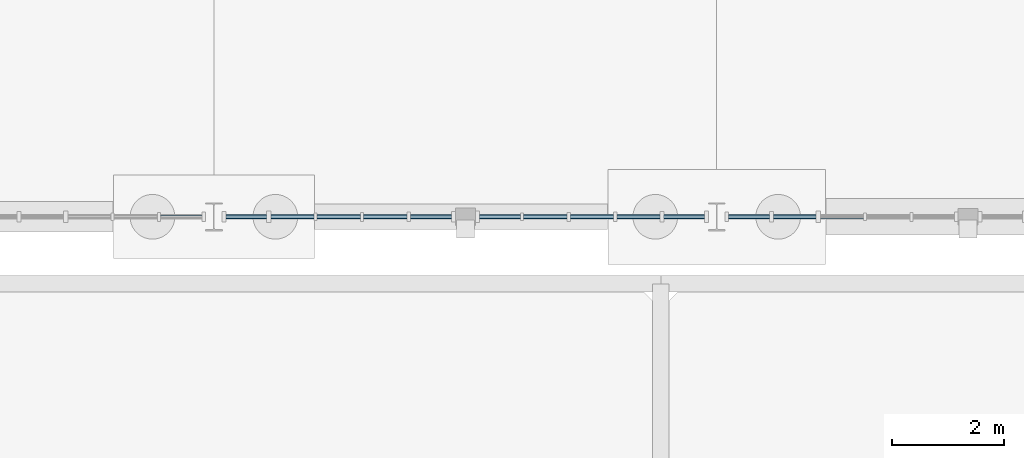
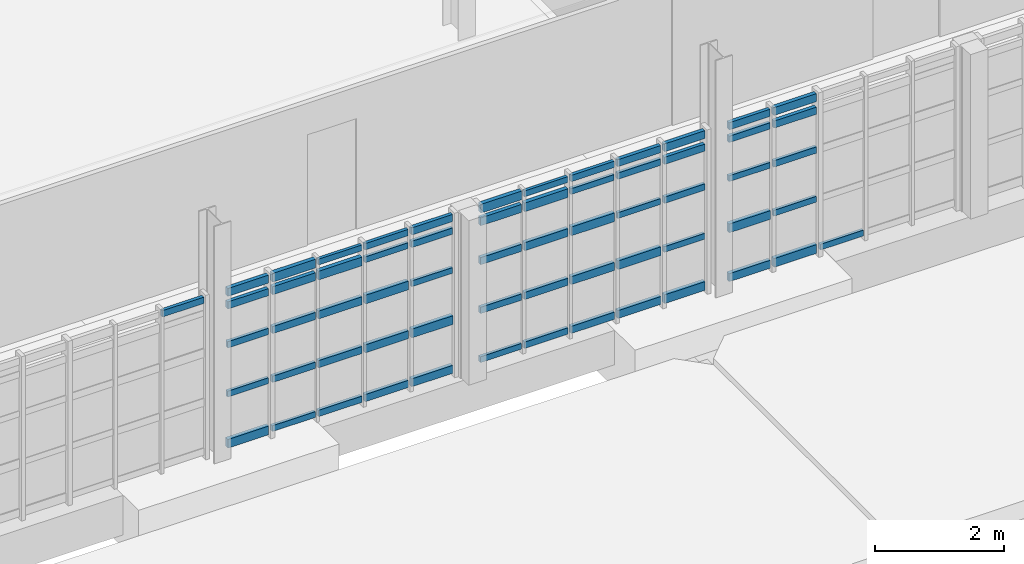
# One storey, part 63 of 125: 62 members, 4 elements without a shape of their own.
"""IFC4 building model written with IfcOpenShell, lengths in metres."""

from ifc_helpers import new_model, si_unit, direction, frame, origin, origin_2d, place, context, subcontext, project, spatial, rectangle, extrude, material, material_profile, profile_set, type_object, element, aggregate, save


model = new_model("IFC4")

# Units and contexts
model_context = context("Model", 3, precision=1e-05, world=origin(), true_north=direction((0.0, 1.0)))
body_context = subcontext(model_context, "Body", "Model", "MODEL_VIEW")
ifc_project = project(units=[si_unit("LENGTHUNIT", "METRE"), si_unit("AREAUNIT", "SQUARE_METRE"), si_unit("VOLUMEUNIT", "CUBIC_METRE"), si_unit("PLANEANGLEUNIT", "RADIAN"), si_unit("MASSUNIT", "GRAM", prefix="KILO")], contexts=[model_context])

# Site, building, storey
site_placement = place(None, origin())
site = spatial("IfcSite", under=ifc_project, at=site_placement, CompositionType="ELEMENT")
building_placement = place(site_placement, origin())
building = spatial("IfcBuilding", under=site, at=building_placement, Name="Serraforn Aerial Cableway Station", CompositionType="ELEMENT")
storey_placement = place(building_placement, frame((0.0, 0.0, 4.5)))
storey = spatial("IfcBuildingStorey", under=building, at=storey_placement, Name="L01", CompositionType="ELEMENT", Elevation=4.5)

# Curtain wall, members
ifc_material_1 = material(Name="Anodised bronze unitised curtain wall")
curtain_wall_type_1 = type_object("IfcCurtainWallType", Name="CW-SYS-13", PredefinedType="USERDEFINED", material=ifc_material_1)
curtain_wall_1_placement = place(storey_placement, origin())
curtain_wall_1 = element("IfcCurtainWall", 1, at=curtain_wall_1_placement, inside=storey, type_object=curtain_wall_type_1, Name="Unitised Curtain Wall CW-EL-L01-S3A", ObjectType="UNITISED CURTAIN WALL", PredefinedType="USERDEFINED")
ifc_material_2 = material(Name="Anodised bronze extruded aluminium", Category="aluminium")
ifc_material_profile_1 = material_profile(ifc_material_2, rectangle(XDim=0.054931640625, YDim=0.110107421875, at=origin_2d()), Name="CW TRANSOM 55x110")
ifc_profile_set_1 = profile_set([ifc_material_profile_1], Name="Anodised bronze extruded aluminium")
member_type_1 = type_object("IfcMemberType", Name="CW-TRN-1", PredefinedType="USERDEFINED", material=ifc_profile_set_1)
member_1_placement = place(storey_placement, frame((112.416015625, 26.0, 1.060791015625), z_axis=(1.0, 0.0, 0.0), x_axis=(0.0, 1.0, 0.0)))
member_1 = element("IfcMember", 2, at=member_1_placement, type_object=member_type_1, Name="Curtain Wall Transom CW-EL-L01-S3A-T1-2", ObjectType="TRANSOM", PredefinedType="USERDEFINED", context=body_context, shape_type="SweptSolid", body=[
    extrude(rectangle(XDim=0.054931640625, YDim=0.110107421875, at=origin_2d()), origin(), (0.0, 0.0, 1.0), 0.73095703125),
])
member_2_placement = place(storey_placement, frame((113.218017578125, 26.0, 0.124755859375), z_axis=(1.0, 0.0, 0.0), x_axis=(0.0, 1.0, 0.0)))
member_2 = element("IfcMember", 3, at=member_2_placement, type_object=member_type_1, Name="Curtain Wall Transom CW-EL-L01-S3A-T2-1", ObjectType="TRANSOM", PredefinedType="USERDEFINED", context=body_context, shape_type="SweptSolid", body=[
    extrude(rectangle(XDim=0.054931640625, YDim=0.110107421875, at=origin_2d()), origin(), (0.0, 0.0, 1.0), 0.773193359375),
])
member_3_placement = place(storey_placement, frame((114.042236328125, 26.0, 2.9951171875), z_axis=(1.0, 0.0, 0.0), x_axis=(0.0, 1.0, 0.0)))
member_3 = element("IfcMember", 4, at=member_3_placement, type_object=member_type_1, Name="Curtain Wall Transom CW-EL-L01-S3A-T3-5", ObjectType="TRANSOM", PredefinedType="USERDEFINED", context=body_context, shape_type="SweptSolid", body=[
    extrude(rectangle(XDim=0.054931640625, YDim=0.110107421875, at=origin_2d()), origin(), (0.0, 0.0, 1.0), 0.781005859375),
])
member_4_placement = place(storey_placement, frame((114.879150390625, 26.0, 2.74560546875), z_axis=(1.0, 0.0, 0.0), x_axis=(0.0, 1.0, 0.0)))
member_4 = element("IfcMember", 5, at=member_4_placement, type_object=member_type_1, Name="Curtain Wall Transom CW-EL-L01-S3A-T4-4", ObjectType="TRANSOM", PredefinedType="USERDEFINED", context=body_context, shape_type="SweptSolid", body=[
    extrude(rectangle(XDim=0.054931640625, YDim=0.110107421875, at=origin_2d()), origin(), (0.0, 0.0, 1.0), 0.77587890625),
])
member_5_placement = place(storey_placement, frame((115.716064453125, 26.0, 1.996826171875), z_axis=(1.0, 0.0, 0.0), x_axis=(0.0, 1.0, 0.0)))
member_5 = element("IfcMember", 6, at=member_5_placement, type_object=member_type_1, Name="Curtain Wall Transom CW-EL-L01-S3A-T5-3", ObjectType="TRANSOM", PredefinedType="USERDEFINED", context=body_context, shape_type="SweptSolid", body=[
    extrude(rectangle(XDim=0.054931640625, YDim=0.110107421875, at=origin_2d()), origin(), (0.0, 0.0, 1.0), 0.73583984375),
])

curtain_wall_type_2 = type_object("IfcCurtainWallType", Name="CW-SYS-14", PredefinedType="USERDEFINED", material=ifc_material_1)
curtain_wall_2_placement = place(storey_placement, origin())
curtain_wall_2 = element("IfcCurtainWall", 7, at=curtain_wall_2_placement, inside=storey, type_object=curtain_wall_type_2, Name="Unitised Curtain Wall CW-EL-L01-S3B", ObjectType="UNITISED CURTAIN WALL", PredefinedType="USERDEFINED")
member_6_placement = place(storey_placement, frame((116.952880859375, 26.0, 0.124755859375), z_axis=(1.0, 0.0, 0.0), x_axis=(0.0, 1.0, 0.0)))
member_6 = element("IfcMember", 8, at=member_6_placement, type_object=member_type_1, Name="Curtain Wall Transom CW-EL-L01-S3B-T1-1", ObjectType="TRANSOM", PredefinedType="USERDEFINED", context=body_context, shape_type="SweptSolid", body=[
    extrude(rectangle(XDim=0.054931640625, YDim=0.110107421875, at=origin_2d()), origin(), (0.0, 0.0, 1.0), 0.736083984375),
])
member_7_placement = place(storey_placement, frame((117.739990234375, 26.0, 2.9951171875), z_axis=(1.0, 0.0, 0.0), x_axis=(0.0, 1.0, 0.0)))
member_7 = element("IfcMember", 9, at=member_7_placement, type_object=member_type_1, Name="Curtain Wall Transom CW-EL-L01-S3B-T2-5", ObjectType="TRANSOM", PredefinedType="USERDEFINED", context=body_context, shape_type="SweptSolid", body=[
    extrude(rectangle(XDim=0.054931640625, YDim=0.110107421875, at=origin_2d()), origin(), (0.0, 0.0, 1.0), 0.78076171875),
])
member_8_placement = place(storey_placement, frame((118.576904296875, 26.0, 2.74560546875), z_axis=(1.0, 0.0, 0.0), x_axis=(0.0, 1.0, 0.0)))
member_8 = element("IfcMember", 10, at=member_8_placement, type_object=member_type_1, Name="Curtain Wall Transom CW-EL-L01-S3B-T3-4", ObjectType="TRANSOM", PredefinedType="USERDEFINED", context=body_context, shape_type="SweptSolid", body=[
    extrude(rectangle(XDim=0.054931640625, YDim=0.110107421875, at=origin_2d()), origin(), (0.0, 0.0, 1.0), 0.77587890625),
])
member_9_placement = place(storey_placement, frame((119.413818359375, 26.0, 1.996826171875), z_axis=(1.0, 0.0, 0.0), x_axis=(0.0, 1.0, 0.0)))
member_9 = element("IfcMember", 11, at=member_9_placement, type_object=member_type_1, Name="Curtain Wall Transom CW-EL-L01-S3B-T4-3", ObjectType="TRANSOM", PredefinedType="USERDEFINED", context=body_context, shape_type="SweptSolid", body=[
    extrude(rectangle(XDim=0.054931640625, YDim=0.110107421875, at=origin_2d()), origin(), (0.0, 0.0, 1.0), 0.770751953125),
])
member_10_placement = place(storey_placement, frame((120.25048828125, 26.0, 1.060791015625), z_axis=(1.0, 0.0, 0.0), x_axis=(0.0, 1.0, 0.0)))
member_10 = element("IfcMember", 12, at=member_10_placement, type_object=member_type_1, Name="Curtain Wall Transom CW-EL-L01-S3B-T5-2", ObjectType="TRANSOM", PredefinedType="USERDEFINED", context=body_context, shape_type="SweptSolid", body=[
    extrude(rectangle(XDim=0.054931640625, YDim=0.110107421875, at=origin_2d()), origin(), (0.0, 0.0, 1.0), 0.728515625),
])

curtain_wall_type_3 = type_object("IfcCurtainWallType", Name="CW-SYS-17", PredefinedType="USERDEFINED", material=ifc_material_1)
curtain_wall_3_placement = place(storey_placement, origin())
curtain_wall_3 = element("IfcCurtainWall", 13, at=curtain_wall_3_placement, inside=storey, type_object=curtain_wall_type_3, Name="Unitised Curtain Wall CW-EL-L01-S4A", ObjectType="UNITISED CURTAIN WALL", PredefinedType="USERDEFINED")
member_11_placement = place(storey_placement, frame((121.410888671875, 26.0, 1.996826171875), z_axis=(1.0, 0.0, 0.0), x_axis=(0.0, 1.0, 0.0)))
member_11 = element("IfcMember", 14, at=member_11_placement, type_object=member_type_1, Name="Curtain Wall Transom CW-EL-L01-S4A-T1-3", ObjectType="TRANSOM", PredefinedType="USERDEFINED", context=body_context, shape_type="SweptSolid", body=[
    extrude(rectangle(XDim=0.054931640625, YDim=0.110107421875, at=origin_2d()), origin(), (0.0, 0.0, 1.0), 0.738525390625),
])
member_12_placement = place(storey_placement, frame((122.21533203125, 26.0, 1.060791015625), z_axis=(1.0, 0.0, 0.0), x_axis=(0.0, 1.0, 0.0)))
member_12 = element("IfcMember", 15, at=member_12_placement, type_object=member_type_1, Name="Curtain Wall Transom CW-EL-L01-S4A-T2-2", ObjectType="TRANSOM", PredefinedType="USERDEFINED", context=body_context, shape_type="SweptSolid", body=[
    extrude(rectangle(XDim=0.054931640625, YDim=0.110107421875, at=origin_2d()), origin(), (0.0, 0.0, 1.0), 0.765869140625),
])
member_13_placement = place(storey_placement, frame((123.05224609375, 26.0, 0.124755859375), z_axis=(1.0, 0.0, 0.0), x_axis=(0.0, 1.0, 0.0)))
member_13 = element("IfcMember", 16, at=member_13_placement, type_object=member_type_1, Name="Curtain Wall Transom CW-EL-L01-S4A-T3-1", ObjectType="TRANSOM", PredefinedType="USERDEFINED", context=body_context, shape_type="SweptSolid", body=[
    extrude(rectangle(XDim=0.054931640625, YDim=0.110107421875, at=origin_2d()), origin(), (0.0, 0.0, 1.0), 0.7734375),
])

# Curtain wall, member
curtain_wall_type_4 = type_object("IfcCurtainWallType", Name="CW-SYS-12", PredefinedType="USERDEFINED", material=ifc_material_1)
curtain_wall_4_placement = place(storey_placement, origin())
curtain_wall_4 = element("IfcCurtainWall", 17, at=curtain_wall_4_placement, inside=storey, type_object=curtain_wall_type_4, Name="Unitised Curtain Wall CW-EL-L01-S2B", ObjectType="UNITISED CURTAIN WALL", PredefinedType="USERDEFINED")
ifc_material_profile_2 = material_profile(ifc_material_2, rectangle(XDim=0.06005859375, YDim=0.1201171875, at=origin_2d()), Name="CW TRANSOM 60x120")
ifc_profile_set_2 = profile_set([ifc_material_profile_2], Name="Anodised bronze extruded aluminium")
member_type_2 = type_object("IfcMemberType", Name="CW-TRN-2", PredefinedType="USERDEFINED", material=ifc_profile_set_2)
member_14_placement = place(storey_placement, frame((111.24560546875, 26.0, 2.9951171875), z_axis=(1.0, 0.0, 0.0), x_axis=(0.0, 1.0, 0.0)))
member_14 = element("IfcMember", 18, at=member_14_placement, type_object=member_type_2, Name="Curtain Wall Transom CW-EL-L01-S2B-T5-5", ObjectType="TRANSOM", PredefinedType="USERDEFINED", context=body_context, shape_type="SweptSolid", body=[
    extrude(rectangle(XDim=0.06005859375, YDim=0.1201171875, at=origin_2d()), origin(), (0.0, 0.0, 1.0), 0.743408203125),
])
aggregate(curtain_wall_4, [member_14])

# Member
member_15_placement = place(storey_placement, frame((112.416015625, 26.0, 1.996826171875), z_axis=(1.0, 0.0, 0.0), x_axis=(0.0, 1.0, 0.0)))
member_15 = element("IfcMember", 19, at=member_15_placement, type_object=member_type_2, Name="Curtain Wall Transom CW-EL-L01-S3A-T1-3", ObjectType="TRANSOM", PredefinedType="USERDEFINED", context=body_context, shape_type="SweptSolid", body=[
    extrude(rectangle(XDim=0.06005859375, YDim=0.1201171875, at=origin_2d()), origin(), (0.0, 0.0, 1.0), 0.73095703125),
])

member_16_placement = place(storey_placement, frame((113.218017578125, 26.0, 1.060791015625), z_axis=(1.0, 0.0, 0.0), x_axis=(0.0, 1.0, 0.0)))
member_16 = element("IfcMember", 20, at=member_16_placement, type_object=member_type_2, Name="Curtain Wall Transom CW-EL-L01-S3A-T2-2", ObjectType="TRANSOM", PredefinedType="USERDEFINED", context=body_context, shape_type="SweptSolid", body=[
    extrude(rectangle(XDim=0.06005859375, YDim=0.1201171875, at=origin_2d()), origin(), (0.0, 0.0, 1.0), 0.773193359375),
])

member_17_placement = place(storey_placement, frame((114.042236328125, 26.0, 0.124755859375), z_axis=(1.0, 0.0, 0.0), x_axis=(0.0, 1.0, 0.0)))
member_17 = element("IfcMember", 21, at=member_17_placement, type_object=member_type_2, Name="Curtain Wall Transom CW-EL-L01-S3A-T3-1", ObjectType="TRANSOM", PredefinedType="USERDEFINED", context=body_context, shape_type="SweptSolid", body=[
    extrude(rectangle(XDim=0.06005859375, YDim=0.1201171875, at=origin_2d()), origin(), (0.0, 0.0, 1.0), 0.781005859375),
])

member_18_placement = place(storey_placement, frame((114.879150390625, 26.0, 2.9951171875), z_axis=(1.0, 0.0, 0.0), x_axis=(0.0, 1.0, 0.0)))
member_18 = element("IfcMember", 22, at=member_18_placement, type_object=member_type_2, Name="Curtain Wall Transom CW-EL-L01-S3A-T4-5", ObjectType="TRANSOM", PredefinedType="USERDEFINED", context=body_context, shape_type="SweptSolid", body=[
    extrude(rectangle(XDim=0.06005859375, YDim=0.1201171875, at=origin_2d()), origin(), (0.0, 0.0, 1.0), 0.77587890625),
])

member_19_placement = place(storey_placement, frame((115.716064453125, 26.0, 2.74560546875), z_axis=(1.0, 0.0, 0.0), x_axis=(0.0, 1.0, 0.0)))
member_19 = element("IfcMember", 23, at=member_19_placement, type_object=member_type_2, Name="Curtain Wall Transom CW-EL-L01-S3A-T5-4", ObjectType="TRANSOM", PredefinedType="USERDEFINED", context=body_context, shape_type="SweptSolid", body=[
    extrude(rectangle(XDim=0.06005859375, YDim=0.1201171875, at=origin_2d()), origin(), (0.0, 0.0, 1.0), 0.73583984375),
])

member_20_placement = place(storey_placement, frame((116.952880859375, 26.0, 1.060791015625), z_axis=(1.0, 0.0, 0.0), x_axis=(0.0, 1.0, 0.0)))
member_20 = element("IfcMember", 24, at=member_20_placement, type_object=member_type_2, Name="Curtain Wall Transom CW-EL-L01-S3B-T1-2", ObjectType="TRANSOM", PredefinedType="USERDEFINED", context=body_context, shape_type="SweptSolid", body=[
    extrude(rectangle(XDim=0.06005859375, YDim=0.1201171875, at=origin_2d()), origin(), (0.0, 0.0, 1.0), 0.736083984375),
])

member_21_placement = place(storey_placement, frame((117.739990234375, 26.0, 0.124755859375), z_axis=(1.0, 0.0, 0.0), x_axis=(0.0, 1.0, 0.0)))
member_21 = element("IfcMember", 25, at=member_21_placement, type_object=member_type_2, Name="Curtain Wall Transom CW-EL-L01-S3B-T2-1", ObjectType="TRANSOM", PredefinedType="USERDEFINED", context=body_context, shape_type="SweptSolid", body=[
    extrude(rectangle(XDim=0.06005859375, YDim=0.1201171875, at=origin_2d()), origin(), (0.0, 0.0, 1.0), 0.78076171875),
])

member_22_placement = place(storey_placement, frame((118.576904296875, 26.0, 2.9951171875), z_axis=(1.0, 0.0, 0.0), x_axis=(0.0, 1.0, 0.0)))
member_22 = element("IfcMember", 26, at=member_22_placement, type_object=member_type_2, Name="Curtain Wall Transom CW-EL-L01-S3B-T3-5", ObjectType="TRANSOM", PredefinedType="USERDEFINED", context=body_context, shape_type="SweptSolid", body=[
    extrude(rectangle(XDim=0.06005859375, YDim=0.1201171875, at=origin_2d()), origin(), (0.0, 0.0, 1.0), 0.77587890625),
])

member_23_placement = place(storey_placement, frame((119.413818359375, 26.0, 2.74560546875), z_axis=(1.0, 0.0, 0.0), x_axis=(0.0, 1.0, 0.0)))
member_23 = element("IfcMember", 27, at=member_23_placement, type_object=member_type_2, Name="Curtain Wall Transom CW-EL-L01-S3B-T4-4", ObjectType="TRANSOM", PredefinedType="USERDEFINED", context=body_context, shape_type="SweptSolid", body=[
    extrude(rectangle(XDim=0.06005859375, YDim=0.1201171875, at=origin_2d()), origin(), (0.0, 0.0, 1.0), 0.770751953125),
])

member_24_placement = place(storey_placement, frame((120.25048828125, 26.0, 1.996826171875), z_axis=(1.0, 0.0, 0.0), x_axis=(0.0, 1.0, 0.0)))
member_24 = element("IfcMember", 28, at=member_24_placement, type_object=member_type_2, Name="Curtain Wall Transom CW-EL-L01-S3B-T5-3", ObjectType="TRANSOM", PredefinedType="USERDEFINED", context=body_context, shape_type="SweptSolid", body=[
    extrude(rectangle(XDim=0.06005859375, YDim=0.1201171875, at=origin_2d()), origin(), (0.0, 0.0, 1.0), 0.728515625),
])

member_25_placement = place(storey_placement, frame((121.410888671875, 26.0, 2.74560546875), z_axis=(1.0, 0.0, 0.0), x_axis=(0.0, 1.0, 0.0)))
member_25 = element("IfcMember", 29, at=member_25_placement, type_object=member_type_2, Name="Curtain Wall Transom CW-EL-L01-S4A-T1-4", ObjectType="TRANSOM", PredefinedType="USERDEFINED", context=body_context, shape_type="SweptSolid", body=[
    extrude(rectangle(XDim=0.06005859375, YDim=0.1201171875, at=origin_2d()), origin(), (0.0, 0.0, 1.0), 0.738525390625),
])

member_26_placement = place(storey_placement, frame((122.21533203125, 26.0, 1.996826171875), z_axis=(1.0, 0.0, 0.0), x_axis=(0.0, 1.0, 0.0)))
member_26 = element("IfcMember", 30, at=member_26_placement, type_object=member_type_2, Name="Curtain Wall Transom CW-EL-L01-S4A-T2-3", ObjectType="TRANSOM", PredefinedType="USERDEFINED", context=body_context, shape_type="SweptSolid", body=[
    extrude(rectangle(XDim=0.06005859375, YDim=0.1201171875, at=origin_2d()), origin(), (0.0, 0.0, 1.0), 0.765869140625),
])

ifc_material_profile_3 = material_profile(ifc_material_2, rectangle(XDim=0.06494140625, YDim=0.135009765625, at=origin_2d()), Name="CW TRANSOM 65x135")
ifc_profile_set_3 = profile_set([ifc_material_profile_3], Name="Anodised bronze extruded aluminium")
member_type_3 = type_object("IfcMemberType", Name="CW-TRN-3", PredefinedType="USERDEFINED", material=ifc_profile_set_3)
member_27_placement = place(storey_placement, frame((112.416015625, 26.0, 2.74560546875), z_axis=(1.0, 0.0, 0.0), x_axis=(0.0, 1.0, 0.0)))
member_27 = element("IfcMember", 31, at=member_27_placement, type_object=member_type_3, Name="Curtain Wall Transom CW-EL-L01-S3A-T1-4", ObjectType="TRANSOM", PredefinedType="USERDEFINED", context=body_context, shape_type="SweptSolid", body=[
    extrude(rectangle(XDim=0.06494140625, YDim=0.135009765625, at=origin_2d()), origin(), (0.0, 0.0, 1.0), 0.73095703125),
])

member_28_placement = place(storey_placement, frame((113.218017578125, 26.0, 1.996826171875), z_axis=(1.0, 0.0, 0.0), x_axis=(0.0, 1.0, 0.0)))
member_28 = element("IfcMember", 32, at=member_28_placement, type_object=member_type_3, Name="Curtain Wall Transom CW-EL-L01-S3A-T2-3", ObjectType="TRANSOM", PredefinedType="USERDEFINED", context=body_context, shape_type="SweptSolid", body=[
    extrude(rectangle(XDim=0.06494140625, YDim=0.135009765625, at=origin_2d()), origin(), (0.0, 0.0, 1.0), 0.773193359375),
])

member_29_placement = place(storey_placement, frame((114.042236328125, 26.0, 1.060791015625), z_axis=(1.0, 0.0, 0.0), x_axis=(0.0, 1.0, 0.0)))
member_29 = element("IfcMember", 33, at=member_29_placement, type_object=member_type_3, Name="Curtain Wall Transom CW-EL-L01-S3A-T3-2", ObjectType="TRANSOM", PredefinedType="USERDEFINED", context=body_context, shape_type="SweptSolid", body=[
    extrude(rectangle(XDim=0.06494140625, YDim=0.135009765625, at=origin_2d()), origin(), (0.0, 0.0, 1.0), 0.781005859375),
])

member_30_placement = place(storey_placement, frame((114.879150390625, 26.0, 0.124755859375), z_axis=(1.0, 0.0, 0.0), x_axis=(0.0, 1.0, 0.0)))
member_30 = element("IfcMember", 34, at=member_30_placement, type_object=member_type_3, Name="Curtain Wall Transom CW-EL-L01-S3A-T4-1", ObjectType="TRANSOM", PredefinedType="USERDEFINED", context=body_context, shape_type="SweptSolid", body=[
    extrude(rectangle(XDim=0.06494140625, YDim=0.135009765625, at=origin_2d()), origin(), (0.0, 0.0, 1.0), 0.77587890625),
])

member_31_placement = place(storey_placement, frame((115.716064453125, 26.0, 2.9951171875), z_axis=(1.0, 0.0, 0.0), x_axis=(0.0, 1.0, 0.0)))
member_31 = element("IfcMember", 35, at=member_31_placement, type_object=member_type_3, Name="Curtain Wall Transom CW-EL-L01-S3A-T5-5", ObjectType="TRANSOM", PredefinedType="USERDEFINED", context=body_context, shape_type="SweptSolid", body=[
    extrude(rectangle(XDim=0.06494140625, YDim=0.135009765625, at=origin_2d()), origin(), (0.0, 0.0, 1.0), 0.73583984375),
])

member_32_placement = place(storey_placement, frame((116.952880859375, 26.0, 1.996826171875), z_axis=(1.0, 0.0, 0.0), x_axis=(0.0, 1.0, 0.0)))
member_32 = element("IfcMember", 36, at=member_32_placement, type_object=member_type_3, Name="Curtain Wall Transom CW-EL-L01-S3B-T1-3", ObjectType="TRANSOM", PredefinedType="USERDEFINED", context=body_context, shape_type="SweptSolid", body=[
    extrude(rectangle(XDim=0.06494140625, YDim=0.135009765625, at=origin_2d()), origin(), (0.0, 0.0, 1.0), 0.736083984375),
])

member_33_placement = place(storey_placement, frame((117.739990234375, 26.0, 1.060791015625), z_axis=(1.0, 0.0, 0.0), x_axis=(0.0, 1.0, 0.0)))
member_33 = element("IfcMember", 37, at=member_33_placement, type_object=member_type_3, Name="Curtain Wall Transom CW-EL-L01-S3B-T2-2", ObjectType="TRANSOM", PredefinedType="USERDEFINED", context=body_context, shape_type="SweptSolid", body=[
    extrude(rectangle(XDim=0.06494140625, YDim=0.135009765625, at=origin_2d()), origin(), (0.0, 0.0, 1.0), 0.78076171875),
])

member_34_placement = place(storey_placement, frame((118.576904296875, 26.0, 0.124755859375), z_axis=(1.0, 0.0, 0.0), x_axis=(0.0, 1.0, 0.0)))
member_34 = element("IfcMember", 38, at=member_34_placement, type_object=member_type_3, Name="Curtain Wall Transom CW-EL-L01-S3B-T3-1", ObjectType="TRANSOM", PredefinedType="USERDEFINED", context=body_context, shape_type="SweptSolid", body=[
    extrude(rectangle(XDim=0.06494140625, YDim=0.135009765625, at=origin_2d()), origin(), (0.0, 0.0, 1.0), 0.77587890625),
])

member_35_placement = place(storey_placement, frame((119.413818359375, 26.0, 2.9951171875), z_axis=(1.0, 0.0, 0.0), x_axis=(0.0, 1.0, 0.0)))
member_35 = element("IfcMember", 39, at=member_35_placement, type_object=member_type_3, Name="Curtain Wall Transom CW-EL-L01-S3B-T4-5", ObjectType="TRANSOM", PredefinedType="USERDEFINED", context=body_context, shape_type="SweptSolid", body=[
    extrude(rectangle(XDim=0.06494140625, YDim=0.135009765625, at=origin_2d()), origin(), (0.0, 0.0, 1.0), 0.770751953125),
])

member_36_placement = place(storey_placement, frame((120.25048828125, 26.0, 2.74560546875), z_axis=(1.0, 0.0, 0.0), x_axis=(0.0, 1.0, 0.0)))
member_36 = element("IfcMember", 40, at=member_36_placement, type_object=member_type_3, Name="Curtain Wall Transom CW-EL-L01-S3B-T5-4", ObjectType="TRANSOM", PredefinedType="USERDEFINED", context=body_context, shape_type="SweptSolid", body=[
    extrude(rectangle(XDim=0.06494140625, YDim=0.135009765625, at=origin_2d()), origin(), (0.0, 0.0, 1.0), 0.728515625),
])

member_37_placement = place(storey_placement, frame((121.410888671875, 26.0, 2.9951171875), z_axis=(1.0, 0.0, 0.0), x_axis=(0.0, 1.0, 0.0)))
member_37 = element("IfcMember", 41, at=member_37_placement, type_object=member_type_3, Name="Curtain Wall Transom CW-EL-L01-S4A-T1-5", ObjectType="TRANSOM", PredefinedType="USERDEFINED", context=body_context, shape_type="SweptSolid", body=[
    extrude(rectangle(XDim=0.06494140625, YDim=0.135009765625, at=origin_2d()), origin(), (0.0, 0.0, 1.0), 0.738525390625),
])

member_38_placement = place(storey_placement, frame((122.21533203125, 26.0, 2.74560546875), z_axis=(1.0, 0.0, 0.0), x_axis=(0.0, 1.0, 0.0)))
member_38 = element("IfcMember", 42, at=member_38_placement, type_object=member_type_3, Name="Curtain Wall Transom CW-EL-L01-S4A-T2-4", ObjectType="TRANSOM", PredefinedType="USERDEFINED", context=body_context, shape_type="SweptSolid", body=[
    extrude(rectangle(XDim=0.06494140625, YDim=0.135009765625, at=origin_2d()), origin(), (0.0, 0.0, 1.0), 0.765869140625),
])

ifc_material_profile_4 = material_profile(ifc_material_2, rectangle(XDim=0.070068359375, YDim=0.14990234375, at=origin_2d()), Name="CW TRANSOM 70x150")
ifc_profile_set_4 = profile_set([ifc_material_profile_4], Name="Anodised bronze extruded aluminium")
member_type_4 = type_object("IfcMemberType", Name="CW-TRN-4", PredefinedType="USERDEFINED", material=ifc_profile_set_4)
member_39_placement = place(storey_placement, frame((112.416015625, 26.0, 2.9951171875), z_axis=(1.0, 0.0, 0.0), x_axis=(0.0, 1.0, 0.0)))
member_39 = element("IfcMember", 43, at=member_39_placement, type_object=member_type_4, Name="Curtain Wall Transom CW-EL-L01-S3A-T1-5", ObjectType="TRANSOM", PredefinedType="USERDEFINED", context=body_context, shape_type="SweptSolid", body=[
    extrude(rectangle(XDim=0.070068359375, YDim=0.14990234375, at=origin_2d()), origin(), (0.0, 0.0, 1.0), 0.73095703125),
])

member_40_placement = place(storey_placement, frame((113.218017578125, 26.0, 2.74560546875), z_axis=(1.0, 0.0, 0.0), x_axis=(0.0, 1.0, 0.0)))
member_40 = element("IfcMember", 44, at=member_40_placement, type_object=member_type_4, Name="Curtain Wall Transom CW-EL-L01-S3A-T2-4", ObjectType="TRANSOM", PredefinedType="USERDEFINED", context=body_context, shape_type="SweptSolid", body=[
    extrude(rectangle(XDim=0.070068359375, YDim=0.14990234375, at=origin_2d()), origin(), (0.0, 0.0, 1.0), 0.773193359375),
])

member_41_placement = place(storey_placement, frame((114.042236328125, 26.0, 1.996826171875), z_axis=(1.0, 0.0, 0.0), x_axis=(0.0, 1.0, 0.0)))
member_41 = element("IfcMember", 45, at=member_41_placement, type_object=member_type_4, Name="Curtain Wall Transom CW-EL-L01-S3A-T3-3", ObjectType="TRANSOM", PredefinedType="USERDEFINED", context=body_context, shape_type="SweptSolid", body=[
    extrude(rectangle(XDim=0.070068359375, YDim=0.14990234375, at=origin_2d()), origin(), (0.0, 0.0, 1.0), 0.781005859375),
])

member_42_placement = place(storey_placement, frame((114.879150390625, 26.0, 1.060791015625), z_axis=(1.0, 0.0, 0.0), x_axis=(0.0, 1.0, 0.0)))
member_42 = element("IfcMember", 46, at=member_42_placement, type_object=member_type_4, Name="Curtain Wall Transom CW-EL-L01-S3A-T4-2", ObjectType="TRANSOM", PredefinedType="USERDEFINED", context=body_context, shape_type="SweptSolid", body=[
    extrude(rectangle(XDim=0.070068359375, YDim=0.14990234375, at=origin_2d()), origin(), (0.0, 0.0, 1.0), 0.77587890625),
])

member_43_placement = place(storey_placement, frame((115.716064453125, 26.0, 0.124755859375), z_axis=(1.0, 0.0, 0.0), x_axis=(0.0, 1.0, 0.0)))
member_43 = element("IfcMember", 47, at=member_43_placement, type_object=member_type_4, Name="Curtain Wall Transom CW-EL-L01-S3A-T5-1", ObjectType="TRANSOM", PredefinedType="USERDEFINED", context=body_context, shape_type="SweptSolid", body=[
    extrude(rectangle(XDim=0.070068359375, YDim=0.14990234375, at=origin_2d()), origin(), (0.0, 0.0, 1.0), 0.73583984375),
])

member_44_placement = place(storey_placement, frame((116.952880859375, 26.0, 2.74560546875), z_axis=(1.0, 0.0, 0.0), x_axis=(0.0, 1.0, 0.0)))
member_44 = element("IfcMember", 48, at=member_44_placement, type_object=member_type_4, Name="Curtain Wall Transom CW-EL-L01-S3B-T1-4", ObjectType="TRANSOM", PredefinedType="USERDEFINED", context=body_context, shape_type="SweptSolid", body=[
    extrude(rectangle(XDim=0.070068359375, YDim=0.14990234375, at=origin_2d()), origin(), (0.0, 0.0, 1.0), 0.736083984375),
])

member_45_placement = place(storey_placement, frame((117.739990234375, 26.0, 1.996826171875), z_axis=(1.0, 0.0, 0.0), x_axis=(0.0, 1.0, 0.0)))
member_45 = element("IfcMember", 49, at=member_45_placement, type_object=member_type_4, Name="Curtain Wall Transom CW-EL-L01-S3B-T2-3", ObjectType="TRANSOM", PredefinedType="USERDEFINED", context=body_context, shape_type="SweptSolid", body=[
    extrude(rectangle(XDim=0.070068359375, YDim=0.14990234375, at=origin_2d()), origin(), (0.0, 0.0, 1.0), 0.78076171875),
])

member_46_placement = place(storey_placement, frame((118.576904296875, 26.0, 1.060791015625), z_axis=(1.0, 0.0, 0.0), x_axis=(0.0, 1.0, 0.0)))
member_46 = element("IfcMember", 50, at=member_46_placement, type_object=member_type_4, Name="Curtain Wall Transom CW-EL-L01-S3B-T3-2", ObjectType="TRANSOM", PredefinedType="USERDEFINED", context=body_context, shape_type="SweptSolid", body=[
    extrude(rectangle(XDim=0.070068359375, YDim=0.14990234375, at=origin_2d()), origin(), (0.0, 0.0, 1.0), 0.77587890625),
])

member_47_placement = place(storey_placement, frame((119.413818359375, 26.0, 0.124755859375), z_axis=(1.0, 0.0, 0.0), x_axis=(0.0, 1.0, 0.0)))
member_47 = element("IfcMember", 51, at=member_47_placement, type_object=member_type_4, Name="Curtain Wall Transom CW-EL-L01-S3B-T4-1", ObjectType="TRANSOM", PredefinedType="USERDEFINED", context=body_context, shape_type="SweptSolid", body=[
    extrude(rectangle(XDim=0.070068359375, YDim=0.14990234375, at=origin_2d()), origin(), (0.0, 0.0, 1.0), 0.770751953125),
])

member_48_placement = place(storey_placement, frame((120.25048828125, 26.0, 2.9951171875), z_axis=(1.0, 0.0, 0.0), x_axis=(0.0, 1.0, 0.0)))
member_48 = element("IfcMember", 52, at=member_48_placement, type_object=member_type_4, Name="Curtain Wall Transom CW-EL-L01-S3B-T5-5", ObjectType="TRANSOM", PredefinedType="USERDEFINED", context=body_context, shape_type="SweptSolid", body=[
    extrude(rectangle(XDim=0.070068359375, YDim=0.14990234375, at=origin_2d()), origin(), (0.0, 0.0, 1.0), 0.728515625),
])

member_49_placement = place(storey_placement, frame((121.410888671875, 26.0, 0.124755859375), z_axis=(1.0, 0.0, 0.0), x_axis=(0.0, 1.0, 0.0)))
member_49 = element("IfcMember", 53, at=member_49_placement, type_object=member_type_4, Name="Curtain Wall Transom CW-EL-L01-S4A-T1-1", ObjectType="TRANSOM", PredefinedType="USERDEFINED", context=body_context, shape_type="SweptSolid", body=[
    extrude(rectangle(XDim=0.070068359375, YDim=0.14990234375, at=origin_2d()), origin(), (0.0, 0.0, 1.0), 0.738525390625),
])

member_50_placement = place(storey_placement, frame((122.21533203125, 26.0, 2.9951171875), z_axis=(1.0, 0.0, 0.0), x_axis=(0.0, 1.0, 0.0)))
member_50 = element("IfcMember", 54, at=member_50_placement, type_object=member_type_4, Name="Curtain Wall Transom CW-EL-L01-S4A-T2-5", ObjectType="TRANSOM", PredefinedType="USERDEFINED", context=body_context, shape_type="SweptSolid", body=[
    extrude(rectangle(XDim=0.070068359375, YDim=0.14990234375, at=origin_2d()), origin(), (0.0, 0.0, 1.0), 0.765869140625),
])

ifc_material_profile_5 = material_profile(ifc_material_2, rectangle(XDim=0.074951171875, YDim=0.1650390625, at=origin_2d()), Name="CW TRANSOM 75x165")
ifc_profile_set_5 = profile_set([ifc_material_profile_5], Name="Anodised bronze extruded aluminium")
member_type_5 = type_object("IfcMemberType", Name="CW-TRN-5", PredefinedType="USERDEFINED", material=ifc_profile_set_5)
member_51_placement = place(storey_placement, frame((112.416015625, 26.0, 0.124755859375), z_axis=(1.0, 0.0, 0.0), x_axis=(0.0, 1.0, 0.0)))
member_51 = element("IfcMember", 55, at=member_51_placement, type_object=member_type_5, Name="Curtain Wall Transom CW-EL-L01-S3A-T1-1", ObjectType="TRANSOM", PredefinedType="USERDEFINED", context=body_context, shape_type="SweptSolid", body=[
    extrude(rectangle(XDim=0.074951171875, YDim=0.1650390625, at=origin_2d()), origin(), (0.0, 0.0, 1.0), 0.73095703125),
])

member_52_placement = place(storey_placement, frame((113.218017578125, 26.0, 2.9951171875), z_axis=(1.0, 0.0, 0.0), x_axis=(0.0, 1.0, 0.0)))
member_52 = element("IfcMember", 56, at=member_52_placement, type_object=member_type_5, Name="Curtain Wall Transom CW-EL-L01-S3A-T2-5", ObjectType="TRANSOM", PredefinedType="USERDEFINED", context=body_context, shape_type="SweptSolid", body=[
    extrude(rectangle(XDim=0.074951171875, YDim=0.1650390625, at=origin_2d()), origin(), (0.0, 0.0, 1.0), 0.773193359375),
])

member_53_placement = place(storey_placement, frame((114.042236328125, 26.0, 2.74560546875), z_axis=(1.0, 0.0, 0.0), x_axis=(0.0, 1.0, 0.0)))
member_53 = element("IfcMember", 57, at=member_53_placement, type_object=member_type_5, Name="Curtain Wall Transom CW-EL-L01-S3A-T3-4", ObjectType="TRANSOM", PredefinedType="USERDEFINED", context=body_context, shape_type="SweptSolid", body=[
    extrude(rectangle(XDim=0.074951171875, YDim=0.1650390625, at=origin_2d()), origin(), (0.0, 0.0, 1.0), 0.781005859375),
])

member_54_placement = place(storey_placement, frame((114.879150390625, 26.0, 1.996826171875), z_axis=(1.0, 0.0, 0.0), x_axis=(0.0, 1.0, 0.0)))
member_54 = element("IfcMember", 58, at=member_54_placement, type_object=member_type_5, Name="Curtain Wall Transom CW-EL-L01-S3A-T4-3", ObjectType="TRANSOM", PredefinedType="USERDEFINED", context=body_context, shape_type="SweptSolid", body=[
    extrude(rectangle(XDim=0.074951171875, YDim=0.1650390625, at=origin_2d()), origin(), (0.0, 0.0, 1.0), 0.77587890625),
])

member_55_placement = place(storey_placement, frame((115.716064453125, 26.0, 1.060791015625), z_axis=(1.0, 0.0, 0.0), x_axis=(0.0, 1.0, 0.0)))
member_55 = element("IfcMember", 59, at=member_55_placement, type_object=member_type_5, Name="Curtain Wall Transom CW-EL-L01-S3A-T5-2", ObjectType="TRANSOM", PredefinedType="USERDEFINED", context=body_context, shape_type="SweptSolid", body=[
    extrude(rectangle(XDim=0.074951171875, YDim=0.1650390625, at=origin_2d()), origin(), (0.0, 0.0, 1.0), 0.73583984375),
])

aggregate(curtain_wall_1, [member_51, member_1, member_15, member_27, member_39, member_2, member_16, member_28, member_40, member_52, member_17, member_29, member_41, member_53, member_3, member_30, member_42, member_54, member_4, member_18, member_43, member_55, member_5, member_19, member_31])

member_56_placement = place(storey_placement, frame((116.952880859375, 26.0, 2.9951171875), z_axis=(1.0, 0.0, 0.0), x_axis=(0.0, 1.0, 0.0)))
member_56 = element("IfcMember", 60, at=member_56_placement, type_object=member_type_5, Name="Curtain Wall Transom CW-EL-L01-S3B-T1-5", ObjectType="TRANSOM", PredefinedType="USERDEFINED", context=body_context, shape_type="SweptSolid", body=[
    extrude(rectangle(XDim=0.074951171875, YDim=0.1650390625, at=origin_2d()), origin(), (0.0, 0.0, 1.0), 0.736083984375),
])

member_57_placement = place(storey_placement, frame((117.739990234375, 26.0, 2.74560546875), z_axis=(1.0, 0.0, 0.0), x_axis=(0.0, 1.0, 0.0)))
member_57 = element("IfcMember", 61, at=member_57_placement, type_object=member_type_5, Name="Curtain Wall Transom CW-EL-L01-S3B-T2-4", ObjectType="TRANSOM", PredefinedType="USERDEFINED", context=body_context, shape_type="SweptSolid", body=[
    extrude(rectangle(XDim=0.074951171875, YDim=0.1650390625, at=origin_2d()), origin(), (0.0, 0.0, 1.0), 0.78076171875),
])

member_58_placement = place(storey_placement, frame((118.576904296875, 26.0, 1.996826171875), z_axis=(1.0, 0.0, 0.0), x_axis=(0.0, 1.0, 0.0)))
member_58 = element("IfcMember", 62, at=member_58_placement, type_object=member_type_5, Name="Curtain Wall Transom CW-EL-L01-S3B-T3-3", ObjectType="TRANSOM", PredefinedType="USERDEFINED", context=body_context, shape_type="SweptSolid", body=[
    extrude(rectangle(XDim=0.074951171875, YDim=0.1650390625, at=origin_2d()), origin(), (0.0, 0.0, 1.0), 0.77587890625),
])

member_59_placement = place(storey_placement, frame((119.413818359375, 26.0, 1.060791015625), z_axis=(1.0, 0.0, 0.0), x_axis=(0.0, 1.0, 0.0)))
member_59 = element("IfcMember", 63, at=member_59_placement, type_object=member_type_5, Name="Curtain Wall Transom CW-EL-L01-S3B-T4-2", ObjectType="TRANSOM", PredefinedType="USERDEFINED", context=body_context, shape_type="SweptSolid", body=[
    extrude(rectangle(XDim=0.074951171875, YDim=0.1650390625, at=origin_2d()), origin(), (0.0, 0.0, 1.0), 0.770751953125),
])

member_60_placement = place(storey_placement, frame((120.25048828125, 26.0, 0.124755859375), z_axis=(1.0, 0.0, 0.0), x_axis=(0.0, 1.0, 0.0)))
member_60 = element("IfcMember", 64, at=member_60_placement, type_object=member_type_5, Name="Curtain Wall Transom CW-EL-L01-S3B-T5-1", ObjectType="TRANSOM", PredefinedType="USERDEFINED", context=body_context, shape_type="SweptSolid", body=[
    extrude(rectangle(XDim=0.074951171875, YDim=0.1650390625, at=origin_2d()), origin(), (0.0, 0.0, 1.0), 0.728515625),
])

aggregate(curtain_wall_2, [member_6, member_20, member_32, member_44, member_56, member_21, member_33, member_45, member_57, member_7, member_34, member_46, member_58, member_8, member_22, member_47, member_59, member_9, member_23, member_35, member_60, member_10, member_24, member_36, member_48])

member_61_placement = place(storey_placement, frame((121.410888671875, 26.0, 1.060791015625), z_axis=(1.0, 0.0, 0.0), x_axis=(0.0, 1.0, 0.0)))
member_61 = element("IfcMember", 65, at=member_61_placement, type_object=member_type_5, Name="Curtain Wall Transom CW-EL-L01-S4A-T1-2", ObjectType="TRANSOM", PredefinedType="USERDEFINED", context=body_context, shape_type="SweptSolid", body=[
    extrude(rectangle(XDim=0.074951171875, YDim=0.1650390625, at=origin_2d()), origin(), (0.0, 0.0, 1.0), 0.738525390625),
])

member_62_placement = place(storey_placement, frame((122.21533203125, 26.0, 0.124755859375), z_axis=(1.0, 0.0, 0.0), x_axis=(0.0, 1.0, 0.0)))
member_62 = element("IfcMember", 66, at=member_62_placement, type_object=member_type_5, Name="Curtain Wall Transom CW-EL-L01-S4A-T2-1", ObjectType="TRANSOM", PredefinedType="USERDEFINED", context=body_context, shape_type="SweptSolid", body=[
    extrude(rectangle(XDim=0.074951171875, YDim=0.1650390625, at=origin_2d()), origin(), (0.0, 0.0, 1.0), 0.765869140625),
])

aggregate(curtain_wall_3, [member_49, member_61, member_11, member_25, member_37, member_62, member_12, member_26, member_38, member_50, member_13])

save(model, "model.ifc")
